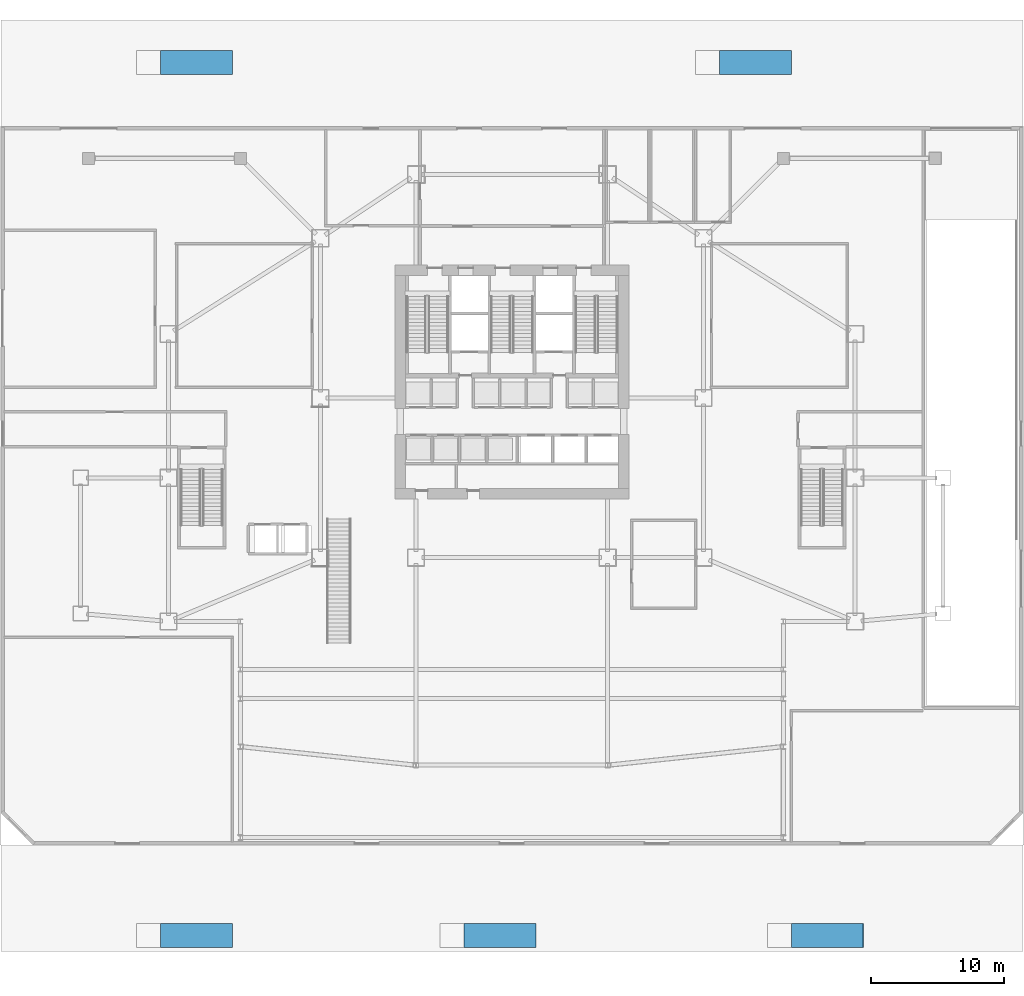
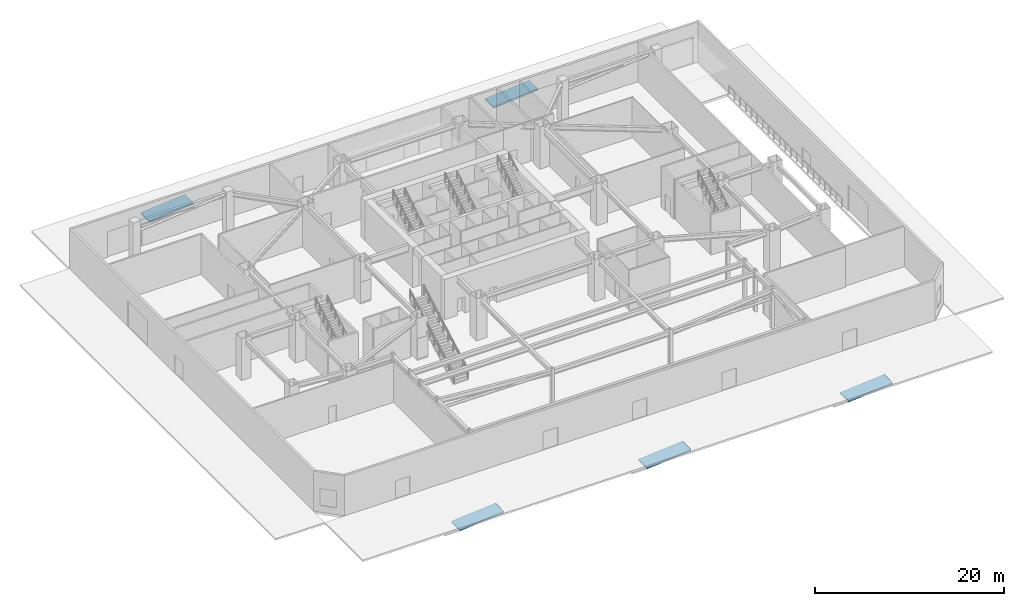
# One storey, part 14 of 20: 5 ramp flights, 5 elements without a shape of their own.
"""IFC4 building model written with IfcOpenShell, lengths in metres."""

import ifcopenshell
import ifcopenshell.guid

model = None  # the IFC model being written
_history = None  # IfcOwnerHistory: only IFC2X3 demands one
_inside = {}  # id of a spatial element -> (the spatial element, [elements in it])
_under = {}  # id of a project, library or spatial element -> (it, [spatial elements below it])
_declared = {}  # id of a project -> (the project, [libraries it declares])
_typed = {}  # id of a type object -> (the type object, [elements of that type])
_made_of = {}  # id of a material, layer set ... -> (it, [elements and type objects made of it])


def new_model(schema):
    """Start an empty IFC model of exactly this schema.

    Asked for "IFC4X3", IfcOpenShell would pick the latest addendum, in which some entities
    have other attributes; the version numbers below select the first issue.
    IFC2X3 requires an IfcOwnerHistory on every rooted entity: one is made here for all.
    """
    global model, _history
    if schema == "IFC4X3":
        model = ifcopenshell.file(schema_version=(4, 3, 0, 0))
    else:
        model = ifcopenshell.file(schema=schema)
    _inside.clear()
    _under.clear()
    _declared.clear()
    _typed.clear()
    _made_of.clear()
    _history = None
    if model.schema == "IFC2X3":
        org = make("IfcOrganization", Name="unknown")
        user = make(
            "IfcPersonAndOrganization",
            ThePerson=make("IfcPerson", FamilyName="unknown"),
            TheOrganization=org,
        )
        app = make(
            "IfcApplication",
            ApplicationDeveloper=org,
            Version="unknown",
            ApplicationFullName="unknown",
            ApplicationIdentifier="unknown",
        )
        _history = make(
            "IfcOwnerHistory",
            OwningUser=user,
            OwningApplication=app,
            ChangeAction="ADDED",
            CreationDate=0,
        )
    return model


def make(cls, **values):
    """One entity of the class cls with the attributes given. An attribute that is None is left unset."""
    return model.create_entity(
        cls, **{name: value for name, value in values.items() if value is not None}
    )


def rooted(cls, **values):
    """An entity with a GlobalId (a new one), such as an element, a storey or a relation."""
    return make(cls, GlobalId=ifcopenshell.guid.new(), OwnerHistory=_history, **values)


def si_unit(unit_type, name, prefix=None):
    """IfcSIUnit, for example si_unit("LENGTHUNIT", "METRE", prefix="MILLI")."""
    return make("IfcSIUnit", UnitType=unit_type, Prefix=prefix, Name=name)


def assignment(units):
    """IfcUnitAssignment: the units of a project."""
    return None if units is None else make("IfcUnitAssignment", Units=units)


def point(xyz):
    """IfcCartesianPoint."""
    return None if xyz is None else make("IfcCartesianPoint", Coordinates=xyz)


def direction(xyz):
    """IfcDirection."""
    return None if xyz is None else make("IfcDirection", DirectionRatios=xyz)


def frame(location, z_axis=None, x_axis=None):
    """IfcAxis2Placement3D, a coordinate frame: its origin and axes. An axis left out is left unset."""
    return make(
        "IfcAxis2Placement3D",
        Location=point(location),
        Axis=direction(z_axis),
        RefDirection=direction(x_axis),
    )


def origin():
    """The frame at (0, 0, 0) with its axes left unset."""
    return frame((0.0, 0.0, 0.0))


def place(relative_to, where):
    """IfcLocalPlacement: puts the frame where relative to a parent placement (None: the world)."""
    return make(
        "IfcLocalPlacement", PlacementRelTo=relative_to, RelativePlacement=where
    )


def context(
    kind, dimensions, precision=None, world=None, true_north=None, identifier=None
):
    """IfcGeometricRepresentationContext, for example the 3D "Model" context."""
    return make(
        "IfcGeometricRepresentationContext",
        ContextIdentifier=identifier,
        ContextType=kind,
        CoordinateSpaceDimension=dimensions,
        Precision=precision,
        WorldCoordinateSystem=world,
        TrueNorth=true_north,
    )


def subcontext(parent, identifier, kind, view, scale=None):
    """IfcGeometricRepresentationSubContext, for example "Body" below "Model"."""
    return make(
        "IfcGeometricRepresentationSubContext",
        ContextIdentifier=identifier,
        ContextType=kind,
        ParentContext=parent,
        TargetScale=scale,
        TargetView=view,
    )


def project(units=None, contexts=None):
    """IfcProject with its units and contexts."""
    return rooted(
        "IfcProject",
        Name="project",
        RepresentationContexts=contexts,
        UnitsInContext=assignment(units),
    )


def spatial(cls, under=None, at=None, **own):
    """A site, building, storey or space (cls), placed at a placement, below another one or the project."""
    s = rooted(cls, ObjectPlacement=at, **own)
    if under is not None:
        _under.setdefault(under.id(), (under, []))[1].append(s)
    return s


def polyline(points):
    """IfcPolyline through the points."""
    return make("IfcPolyline", Points=[point(p) for p in points])


def outline(outer, holes=None, kind="AREA"):
    """IfcArbitraryClosedProfileDef: a profile drawn as a closed curve; with holes, ...WithVoids."""
    if holes is None:
        return make("IfcArbitraryClosedProfileDef", ProfileType=kind, OuterCurve=outer)
    return make(
        "IfcArbitraryProfileDefWithVoids",
        ProfileType=kind,
        OuterCurve=outer,
        InnerCurves=holes,
    )


def extrude(swept, where, along, depth):
    """IfcExtrudedAreaSolid: the profile swept, set in the frame where, extruded along a direction by depth."""
    return make(
        "IfcExtrudedAreaSolid",
        SweptArea=swept,
        Position=where,
        ExtrudedDirection=direction(along),
        Depth=depth,
    )


def shape(context_of_items, identifier, shape_type, items):
    """IfcShapeRepresentation: the items that make up one representation, for example the "Body"."""
    return make(
        "IfcShapeRepresentation",
        ContextOfItems=context_of_items,
        RepresentationIdentifier=identifier,
        RepresentationType=shape_type,
        Items=items,
    )


def material(Name=None, Category=None):
    """IfcMaterial."""
    return make("IfcMaterial", Name=Name, Category=Category)


def layer(
    of_material, thickness, ventilated=None, Name=None, Category=None, Priority=None
):
    """IfcMaterialLayer: one layer of a wall or slab, of a material (None: an air gap)."""
    return make(
        "IfcMaterialLayer",
        Material=of_material,
        LayerThickness=thickness,
        IsVentilated=ventilated,
        Name=Name,
        Category=Category,
        Priority=Priority,
    )


def layer_set(layers, Name=None):
    """IfcMaterialLayerSet."""
    return make("IfcMaterialLayerSet", MaterialLayers=layers, LayerSetName=Name)


def made_of(thing, what):
    """Note that an element or type object is made of a material, layer set ...; save() writes the relation."""
    if what is not None:
        _made_of.setdefault(what.id(), (what, []))[1].append(thing)
    return thing


def type_object(cls, material=None, **own):
    """A type object (cls), such as IfcWallType, which elements share."""
    return made_of(rooted(cls, **own), material)


def element(
    cls,
    number,
    at=None,
    inside=None,
    cuts=None,
    type_object=None,
    material=None,
    context=None,
    identifier="Body",
    shape_type=None,
    held_by="IfcProductDefinitionShape",
    body=None,
    shapes=None,
    **own,
):
    """One element of the class cls, such as IfcWall. Its Tag is "e" and its number.

    at: its placement. inside: the storey or other place that contains it. cuts: it is an
    opening in that element (IfcRelVoidsElement). A single representation is given by context,
    identifier, shape_type and body (its items); several are given by shapes. held_by: the class
    of the entity that holds the representations. save() writes the other relations.
    """
    e = rooted(cls, Tag="e%d" % number, ObjectPlacement=at, **own)
    if body is not None:
        shapes = [shape(context, identifier, shape_type, body)]
    if shapes is not None:
        e.Representation = make(held_by, Representations=shapes)
    if inside is not None:
        _inside.setdefault(inside.id(), (inside, []))[1].append(e)
    if cuts is not None:
        rooted(
            "IfcRelVoidsElement", RelatingBuildingElement=cuts, RelatedOpeningElement=e
        )
    if type_object is not None:
        _typed.setdefault(type_object.id(), (type_object, []))[1].append(e)
    return made_of(e, material)


def aggregate(whole, parts):
    """IfcRelAggregates: a whole, such as a stair, and the parts it consists of."""
    return rooted("IfcRelAggregates", RelatingObject=whole, RelatedObjects=parts)


def save(model, path):
    """Write the relations noted so far, then the file.

    IfcRelAggregates (storeys below a building ...), IfcRelContainedInSpatialStructure (elements
    in a storey), IfcRelDefinesByType, IfcRelAssociatesMaterial and IfcRelDeclares: one each for
    every whole, place, type object, material and project.
    """
    for whole, parts in _under.values():
        aggregate(whole, parts)
    for where, things in _inside.values():
        rooted(
            "IfcRelContainedInSpatialStructure",
            RelatedElements=things,
            RelatingStructure=where,
        )
    for kind, things in _typed.values():
        rooted("IfcRelDefinesByType", RelatedObjects=things, RelatingType=kind)
    for what, things in _made_of.values():
        rooted("IfcRelAssociatesMaterial", RelatedObjects=things, RelatingMaterial=what)
    for by, libraries in _declared.values():
        rooted("IfcRelDeclares", RelatingContext=by, RelatedDefinitions=libraries)
    model.write(path)


model = new_model("IFC4")

# Units and contexts
model_context = context("Model", 3, precision=1e-05, world=origin(), true_north=direction((0.0, 1.0)))
body_context = subcontext(model_context, "Body", "Model", "MODEL_VIEW")
ifc_project = project(units=[si_unit("LENGTHUNIT", "METRE"), si_unit("AREAUNIT", "SQUARE_METRE"), si_unit("VOLUMEUNIT", "CUBIC_METRE"), si_unit("PLANEANGLEUNIT", "RADIAN"), si_unit("MASSUNIT", "GRAM", prefix="KILO")], contexts=[model_context])

# Site, building, storey
site_placement = place(None, origin())
site = spatial("IfcSite", under=ifc_project, at=site_placement, CompositionType="ELEMENT")
building_placement = place(site_placement, origin())
building = spatial("IfcBuilding", under=site, at=building_placement, Name="Haolan Belvedere Tower", CompositionType="ELEMENT")
storey_placement = place(building_placement, origin())
storey = spatial("IfcBuildingStorey", under=building, at=storey_placement, Name="L00", CompositionType="ELEMENT", Elevation=0.0)

# Ramp, ramp flight
ifc_material = material(Name="Concrete C40/50", Category="concrete")
ramp_type = type_object("IfcRampType", Name="RMP-ACC-1800", PredefinedType="STRAIGHT_RUN_RAMP", material=ifc_material)
ramp_1_placement = place(storey_placement, origin())
ramp_1 = element("IfcRamp", 1, at=ramp_1_placement, inside=storey, type_object=ramp_type, Name="South-west plaza step-free accessible ramp AR-1", PredefinedType="STRAIGHT_RUN_RAMP")
ifc_layer = layer(ifc_material, 0.199951171875, Name="Concrete C40/50")
ifc_layer_set = layer_set([ifc_layer], Name="Concrete C40/50")
ramp_flight_type = type_object("IfcRampFlightType", Name="RFL-ACC-200", PredefinedType="STRAIGHT", material=ifc_layer_set)
ramp_flight_1_placement = place(storey_placement, frame((12.0, -7.699951171875, -0.449951171875), z_axis=(-0.083038022323, 0.0, 0.996546379678), x_axis=(0.996546379678, 0.0, 0.083038022323)))
ramp_flight_1 = element("IfcRampFlight", 2, at=ramp_flight_1_placement, type_object=ramp_flight_type, Name="South-west plaza step-free accessible ramp AR-1 flight", PredefinedType="STRAIGHT", context=body_context, shape_type="SweptSolid", body=[
    extrude(outline(polyline([(0.0, 0.0), (5.418616186731482, 0.0), (5.418616186731482, 1.8000488281250004), (0.0, 1.8000488281250004), (0.0, 0.0)])), origin(), (0.0, 0.0, -1.0), 0.199951171875),
])
aggregate(ramp_1, [ramp_flight_1])

ramp_2_placement = place(storey_placement, origin())
ramp_2 = element("IfcRamp", 3, at=ramp_2_placement, inside=storey, type_object=ramp_type, Name="South-east plaza step-free accessible ramp AR-2", PredefinedType="STRAIGHT_RUN_RAMP")
ramp_flight_2_placement = place(storey_placement, frame((59.39990234375, -7.699951171875, -0.449951171875), z_axis=(-0.083034294059, 0.0, 0.996546690331), x_axis=(0.996546690331, 0.0, 0.083034294059)))
ramp_flight_2 = element("IfcRampFlight", 4, at=ramp_flight_2_placement, type_object=ramp_flight_type, Name="South-east plaza step-free accessible ramp AR-2 flight", PredefinedType="STRAIGHT", context=body_context, shape_type="SweptSolid", body=[
    extrude(outline(polyline([(0.0, 0.0), (5.418859484225381, 0.0), (5.418859484225381, 1.800048828125), (0.0, 1.800048828125), (0.0, 0.0)])), origin(), (0.0, 0.0, -1.0), 0.199951171875),
])
aggregate(ramp_2, [ramp_flight_2])

ramp_3_placement = place(storey_placement, origin())
ramp_3 = element("IfcRamp", 5, at=ramp_3_placement, inside=storey, type_object=ramp_type, Name="North-west concourse step-free accessible ramp AR-3", PredefinedType="STRAIGHT_RUN_RAMP")
ramp_flight_3_placement = place(storey_placement, frame((12.0, 57.89990234375, -0.449951171875), z_axis=(-0.083038022323, 0.0, 0.996546379678), x_axis=(0.996546379678, 0.0, 0.083038022323)))
ramp_flight_3 = element("IfcRampFlight", 6, at=ramp_flight_3_placement, type_object=ramp_flight_type, Name="North-west concourse step-free accessible ramp AR-3 flight", PredefinedType="STRAIGHT", context=body_context, shape_type="SweptSolid", body=[
    extrude(outline(polyline([(0.0, 0.0), (5.418616186731482, 0.0), (5.418616186731482, 1.8000488281250004), (0.0, 1.8000488281250004), (0.0, 0.0)])), origin(), (0.0, 0.0, -1.0), 0.199951171875),
])
aggregate(ramp_3, [ramp_flight_3])

ramp_4_placement = place(storey_placement, origin())
ramp_4 = element("IfcRamp", 7, at=ramp_4_placement, inside=storey, type_object=ramp_type, Name="North-east concourse step-free accessible ramp AR-4", PredefinedType="STRAIGHT_RUN_RAMP")
ramp_flight_4_placement = place(storey_placement, frame((54.0, 57.89990234375, -0.449951171875), z_axis=(-0.083038022323, 0.0, 0.996546379678), x_axis=(0.996546379678, 0.0, 0.083038022323)))
ramp_flight_4 = element("IfcRampFlight", 8, at=ramp_flight_4_placement, type_object=ramp_flight_type, Name="North-east concourse step-free accessible ramp AR-4 flight", PredefinedType="STRAIGHT", context=body_context, shape_type="SweptSolid", body=[
    extrude(outline(polyline([(0.0, 0.0), (5.418616186731482, 0.0), (5.418616186731482, 1.8000488281250004), (0.0, 1.8000488281250004), (0.0, 0.0)])), origin(), (0.0, 0.0, -1.0), 0.199951171875),
])
aggregate(ramp_4, [ramp_flight_4])

ramp_5_placement = place(storey_placement, origin())
ramp_5 = element("IfcRamp", 9, at=ramp_5_placement, inside=storey, type_object=ramp_type, Name="South central arrival plaza step-free accessible ramp AR-5", PredefinedType="STRAIGHT_RUN_RAMP")
ramp_flight_5_placement = place(storey_placement, frame((34.800048828125, -7.699951171875, -0.449951171875), z_axis=(-0.083038022323, 0.0, 0.996546379678), x_axis=(0.996546379678, 0.0, 0.083038022323)))
ramp_flight_5 = element("IfcRampFlight", 10, at=ramp_flight_5_placement, type_object=ramp_flight_type, Name="South central arrival plaza step-free accessible ramp AR-5 flight", PredefinedType="STRAIGHT", context=body_context, shape_type="SweptSolid", body=[
    extrude(outline(polyline([(0.0, 0.0), (5.418616186731482, 0.0), (5.418616186731482, 1.8000488281250004), (0.0, 1.8000488281250004), (0.0, 0.0)])), origin(), (0.0, 0.0, -1.0), 0.199951171875),
])
aggregate(ramp_5, [ramp_flight_5])

save(model, "model.ifc")
